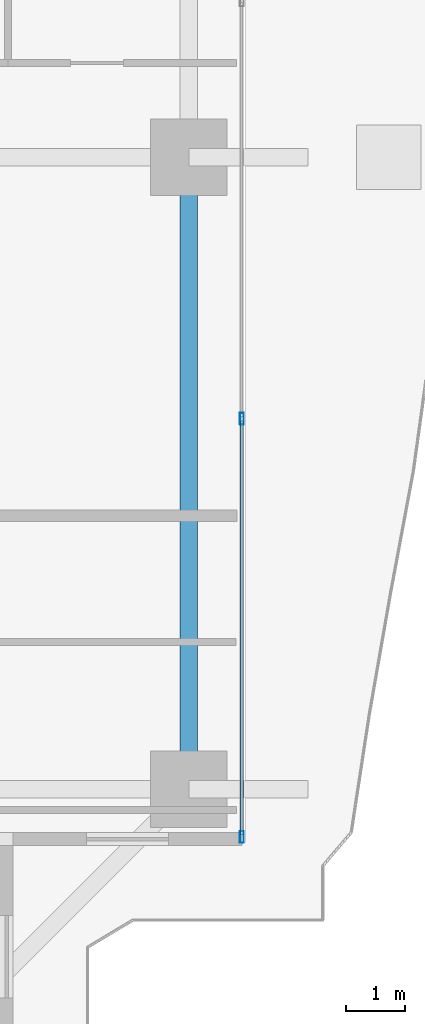
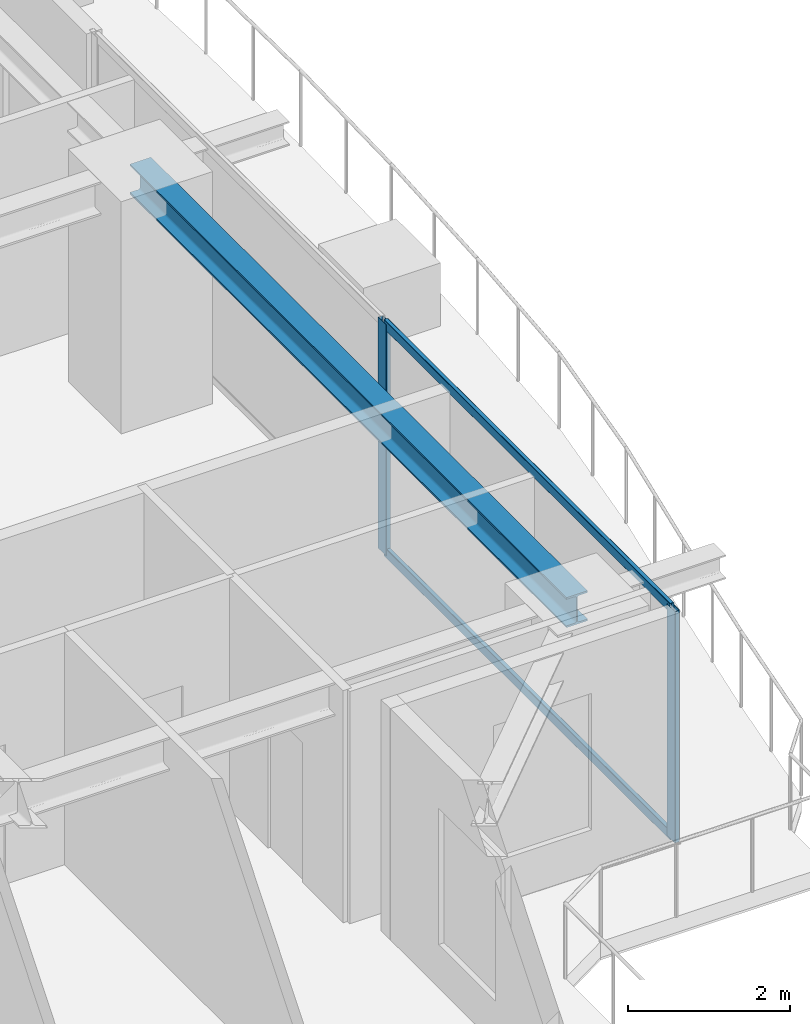
# One storey, part 11 of 33: 4 members, 1 beam, 1 element without a shape of its own.
"""IFC4 building model written with IfcOpenShell, lengths in metres."""

from ifc_helpers import new_model, si_unit, direction, frame, origin, origin_2d, place, context, subcontext, project, spatial, hollow_rectangle, i_section, extrude, source, transform, mapped, material, layer, layer_set, material_profile, profile_set, type_object, element, aggregate, save


model = new_model("IFC4")

# Units and contexts
model_context = context("Model", 3, precision=1e-05, world=origin(), true_north=direction((0.0, 1.0)))
body_context = subcontext(model_context, "Body", "Model", "MODEL_VIEW")
ifc_project = project(units=[si_unit("LENGTHUNIT", "METRE"), si_unit("AREAUNIT", "SQUARE_METRE"), si_unit("VOLUMEUNIT", "CUBIC_METRE"), si_unit("PLANEANGLEUNIT", "RADIAN"), si_unit("MASSUNIT", "GRAM", prefix="KILO")], contexts=[model_context])

# Site, building, storey
site_placement = place(None, origin())
site = spatial("IfcSite", under=ifc_project, at=site_placement, CompositionType="ELEMENT")
building_placement = place(site_placement, origin())
building = spatial("IfcBuilding", under=site, at=building_placement, Name="Serunith Strait Residences", CompositionType="ELEMENT")
storey_placement = place(building_placement, frame((0.0, 0.0, 165.14990234375)))
storey = spatial("IfcBuildingStorey", under=building, at=storey_placement, Name="L41", CompositionType="ELEMENT", Elevation=165.14990234375)

# Beam
ifc_material_1 = material(Name="Steel S355J2", Category="steel")
ifc_material_profile_1 = material_profile(ifc_material_1, i_section(OverallWidth=0.300048828125, OverallDepth=0.449951171875, WebThickness=0.013916015625, FlangeThickness=0.02587890625, FilletRadius=0.027099609375, at=origin_2d()), Name="HEB 450")
ifc_profile_set_1 = profile_set([ifc_material_profile_1], Name="Steel S355J2")
beam_type = type_object("IfcBeamType", Name="BM-HEB450", PredefinedType="BEAM", material=ifc_profile_set_1)
shared_shape_1 = source(origin(), body_context, "Body", "SweptSolid", [
    extrude(i_section(OverallWidth=0.300048828125, OverallDepth=0.449951171875, WebThickness=0.013916015625, FlangeThickness=0.02587890625, FilletRadius=0.027099609375, at=origin_2d()), origin(), (0.0, 0.0, 1.0), 10.75),
])
beam_placement = place(storey_placement, frame((56.10009765625, 10.25, 3.26220703125), z_axis=(0.0, 1.0, 0.0), x_axis=(-1.0, 0.0, 0.0)))
element("IfcBeam", 1, at=beam_placement, inside=storey, type_object=beam_type, Name="L41 Perimeter Ring Beam 05", PredefinedType="BEAM", context=body_context, shape_type="MappedRepresentation", body=[
    mapped(shared_shape_1, transform((0.0, 0.0, 0.0), scale=1.0)),
])

# Curtain wall, members
ifc_material_2 = material(Name="Pale-Champagne Anodised Aluminium", Category="aluminium")
ifc_layer = layer(ifc_material_2, 0.199951171875, Name="Pale-Champagne Anodised Aluminium")
ifc_layer_set = layer_set([ifc_layer], Name="Pale-Champagne Anodised Aluminium")
curtain_wall_type = type_object("IfcCurtainWallType", Name="CW-SYS2", PredefinedType="NOTDEFINED", material=ifc_layer_set)
curtain_wall_placement = place(storey_placement, origin())
curtain_wall = element("IfcCurtainWall", 2, at=curtain_wall_placement, inside=storey, type_object=curtain_wall_type, Name="L41 E Unitised Fritted Curtain Wall", PredefinedType="NOTDEFINED")
ifc_material_profile_2 = material_profile(ifc_material_2, hollow_rectangle(XDim=0.070068359375, YDim=0.199951171875, WallThickness=0.00390625, InnerFilletRadius=0.006103515625, OuterFilletRadius=0.010009765625, at=origin_2d()), Name="ALU 200x70x4")
ifc_profile_set_2 = profile_set([ifc_material_profile_2], Name="Pale-Champagne Anodised Aluminium")
member_type_1 = type_object("IfcMemberType", Name="CW-SYS2-MULL", PredefinedType="MULLION", material=ifc_profile_set_2)
shared_shape_2 = source(origin(), body_context, "Body", "SweptSolid", [
    extrude(hollow_rectangle(XDim=0.070068359375, YDim=0.199951171875, WallThickness=0.00390625, InnerFilletRadius=0.006103515625, OuterFilletRadius=0.010009765625, at=origin_2d()), origin(), (0.0, 0.0, 1.0), 3.47509765625),
])
member_1_placement = place(storey_placement, frame((57.0, 9.43505859375, 0.0), z_axis=(0.0, 0.0, 1.0), x_axis=(-1.0, 0.0, 0.0)))
member_1 = element("IfcMember", 3, at=member_1_placement, type_object=member_type_1, Name="CW-2 mullion 1", PredefinedType="MULLION", context=body_context, shape_type="MappedRepresentation", body=[
    mapped(shared_shape_2, transform((0.0, 0.0, 0.0), scale=1.0)),
])
member_2_placement = place(storey_placement, frame((57.0, 16.550048828125, 0.0), z_axis=(0.0, 0.0, 1.0), x_axis=(-1.0, 0.0, 0.0)))
member_2 = element("IfcMember", 4, at=member_2_placement, type_object=member_type_1, Name="CW-2 mullion 2", PredefinedType="MULLION", context=body_context, shape_type="MappedRepresentation", body=[
    mapped(shared_shape_2, transform((0.0, 0.0, 0.0), scale=1.0)),
])
ifc_material_profile_3 = material_profile(ifc_material_2, hollow_rectangle(XDim=0.06005859375, YDim=0.139892578125, WallThickness=0.00341796875, InnerFilletRadius=0.00537109375, OuterFilletRadius=0.0087890625, at=origin_2d()), Name="ALU 140x60x3.5")
ifc_profile_set_3 = profile_set([ifc_material_profile_3], Name="Pale-Champagne Anodised Aluminium")
member_type_2 = type_object("IfcMemberType", Name="CW-SYS2-TRAN", PredefinedType="USERDEFINED", material=ifc_profile_set_3)
shared_shape_3 = source(origin(), body_context, "Body", "SweptSolid", [
    extrude(hollow_rectangle(XDim=0.06005859375, YDim=0.139892578125, WallThickness=0.00341796875, InnerFilletRadius=0.00537109375, OuterFilletRadius=0.0087890625, at=origin_2d()), origin(), (0.0, 0.0, 1.0), 7.044921875),
])
member_3_placement = place(storey_placement, frame((57.0, 9.469970703125, 0.030029296875), z_axis=(0.0, 1.0, 0.0), x_axis=(-1.0, 0.0, 0.0)))
member_3 = element("IfcMember", 5, at=member_3_placement, type_object=member_type_2, Name="CW-2 transom 1.1", ObjectType="TRANSOM", PredefinedType="USERDEFINED", context=body_context, shape_type="MappedRepresentation", body=[
    mapped(shared_shape_3, transform((0.0, 0.0, 0.0), scale=1.0)),
])
member_4_placement = place(storey_placement, frame((57.0, 9.469970703125, 3.445068359375), z_axis=(0.0, 1.0, 0.0), x_axis=(-1.0, 0.0, 0.0)))
member_4 = element("IfcMember", 6, at=member_4_placement, type_object=member_type_2, Name="CW-2 transom 1.2", ObjectType="TRANSOM", PredefinedType="USERDEFINED", context=body_context, shape_type="MappedRepresentation", body=[
    mapped(shared_shape_3, transform((0.0, 0.0, 0.0), scale=1.0)),
])
aggregate(curtain_wall, [member_1, member_2, member_3, member_4])

save(model, "model.ifc")
